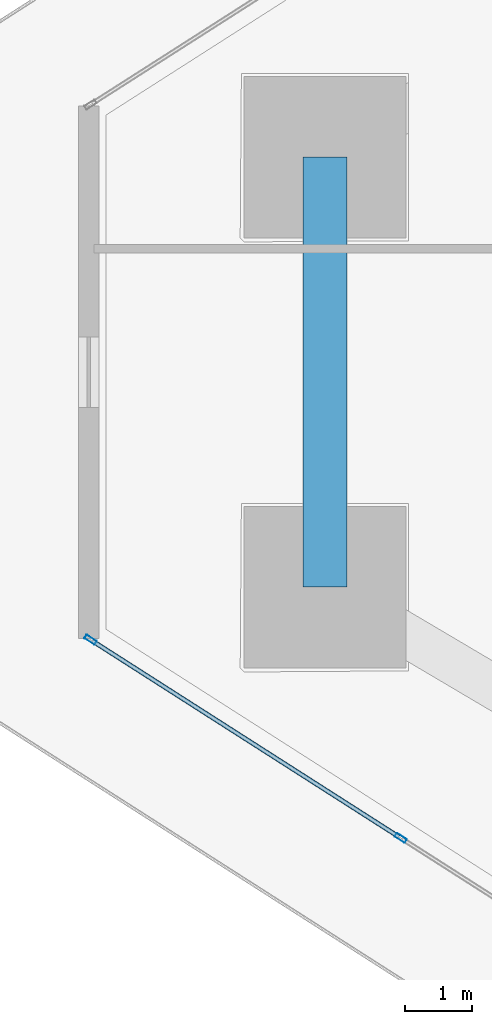
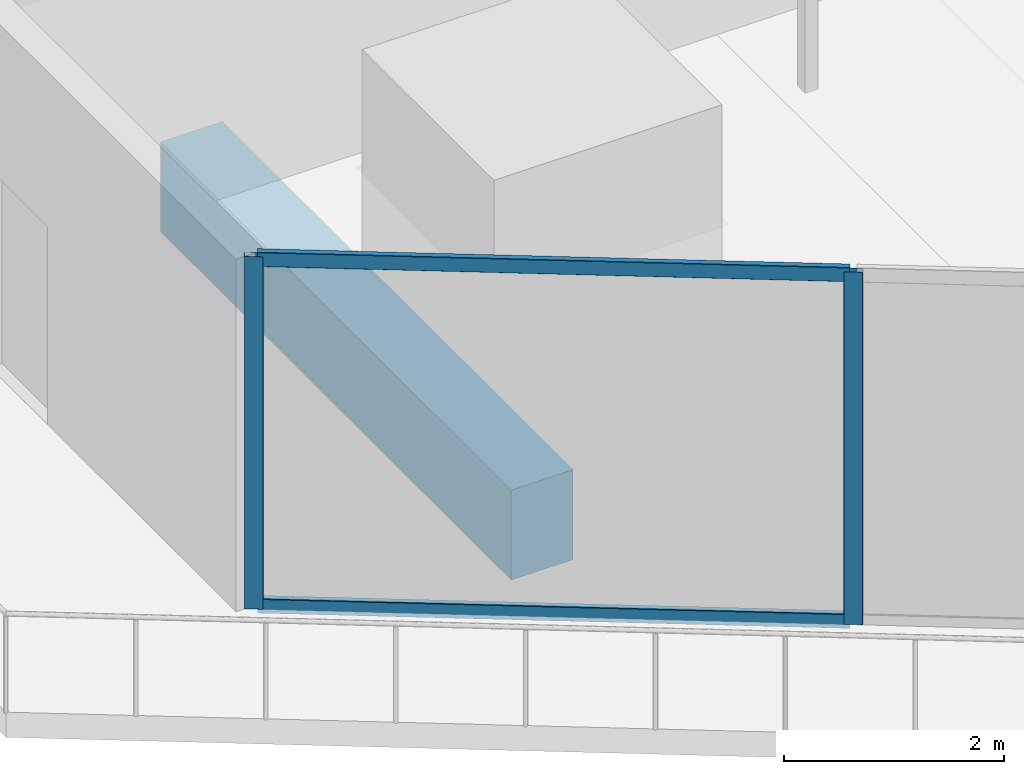
# One storey, part 4 of 45: 4 members, 1 beam, 1 element without a shape of its own.
"""IFC4 building model written with IfcOpenShell, lengths in metres."""

from ifc_helpers import new_model, si_unit, direction, frame, origin, origin_2d, place, context, subcontext, project, spatial, rectangle, hollow_rectangle, extrude, material, layer, layer_set, material_profile, profile_set, type_object, element, aggregate, save


model = new_model("IFC4")

# Units and contexts
model_context = context("Model", 3, precision=1e-05, world=origin(), true_north=direction((0.0, 1.0)))
body_context = subcontext(model_context, "Body", "Model", "MODEL_VIEW")
ifc_project = project(units=[si_unit("LENGTHUNIT", "METRE"), si_unit("AREAUNIT", "SQUARE_METRE"), si_unit("VOLUMEUNIT", "CUBIC_METRE"), si_unit("PLANEANGLEUNIT", "RADIAN"), si_unit("MASSUNIT", "GRAM", prefix="KILO")], contexts=[model_context])

# Site, building, storey
site_placement = place(None, origin())
site = spatial("IfcSite", under=ifc_project, at=site_placement, CompositionType="ELEMENT")
building_placement = place(site_placement, origin())
building = spatial("IfcBuilding", under=site, at=building_placement, Name="Qorvath Tower", CompositionType="ELEMENT")
storey_placement = place(building_placement, frame((0.0, 0.0, 91.199951171875)))
storey = spatial("IfcBuildingStorey", under=building, at=storey_placement, Name="L20", CompositionType="ELEMENT", Elevation=91.199951171875)

# Beam
ifc_material_1 = material(Name="Concrete C50/60", Category="concrete")
ifc_material_profile_1 = material_profile(ifc_material_1, rectangle(XDim=0.64990234375, YDim=1.0, at=origin_2d()), Name="RCB 1000x650")
ifc_profile_set_1 = profile_set([ifc_material_profile_1], Name="Concrete C50/60")
beam_type = type_object("IfcBeamType", Name="BM-RCB1", PredefinedType="SPANDREL", material=ifc_profile_set_1)
beam_placement = place(storey_placement, frame((-55.282958984375, 3.194580078125, -0.780029296875), z_axis=(0.0, -1.0, 0.0), x_axis=(1.0, 0.0, 0.0)))
element("IfcBeam", 1, at=beam_placement, inside=storey, type_object=beam_type, Name="Perimeter Loggia Frame Beam MC1-MC2 L20", PredefinedType="SPANDREL", context=body_context, shape_type="SweptSolid", body=[
    extrude(rectangle(XDim=0.64990234375, YDim=1.0, at=origin_2d()), origin(), (0.0, 0.0, 1.0), 6.38916015625),
])

# Curtain wall, members
ifc_material_2 = material(Name="Anodised aluminium and triple low-E glass", Category="aluminium")
ifc_layer = layer(ifc_material_2, 0.179931640625)
ifc_layer_set = layer_set([ifc_layer], Name="CW-SYS-2")
curtain_wall_type = type_object("IfcCurtainWallType", Name="CW-SYS-2", PredefinedType="NOTDEFINED", material=ifc_layer_set)
curtain_wall_placement = place(storey_placement, origin())
curtain_wall = element("IfcCurtainWall", 2, at=curtain_wall_placement, inside=storey, type_object=curtain_wall_type, Name="Curtain Wall CW-2 CW-T-L20-2.1", PredefinedType="NOTDEFINED")
ifc_material_3 = material(Name="Anodised aluminium 6063-T6", Category="aluminium")
ifc_material_profile_2 = material_profile(ifc_material_3, hollow_rectangle(XDim=0.06494140625, YDim=0.179931640625, WallThickness=0.00341796875, InnerFilletRadius=0.00341796875, OuterFilletRadius=0.007080078125, at=origin_2d()), Name="CWM 180x65")
ifc_profile_set_2 = profile_set([ifc_material_profile_2], Name="Anodised aluminium 6063-T6")
member_type_1 = type_object("IfcMemberType", Name="CWM-180", PredefinedType="MULLION", material=ifc_profile_set_2)
member_1_placement = place(storey_placement, frame((-58.765869140625, -3.975341796875, 0.0), z_axis=(0.0, 0.0, 1.0), x_axis=(0.53852928912, 0.842606791309, 0.0)))
member_1 = element("IfcMember", 3, at=member_1_placement, type_object=member_type_1, Name="CW-2 mullion 1", PredefinedType="MULLION", context=body_context, shape_type="SweptSolid", body=[
    extrude(hollow_rectangle(XDim=0.06494140625, YDim=0.179931640625, WallThickness=0.00341796875, InnerFilletRadius=0.00341796875, OuterFilletRadius=0.007080078125, at=origin_2d()), origin(), (0.0, 0.0, 1.0), 3.920166015625),
])
member_2_placement = place(storey_placement, frame((-54.158935546875, -6.919677734375, 0.0), z_axis=(0.0, 0.0, 1.0), x_axis=(0.53852928912, 0.842606791309, 0.0)))
member_2 = element("IfcMember", 4, at=member_2_placement, type_object=member_type_1, Name="CW-2 mullion 2", PredefinedType="MULLION", context=body_context, shape_type="SweptSolid", body=[
    extrude(hollow_rectangle(XDim=0.06494140625, YDim=0.179931640625, WallThickness=0.00341796875, InnerFilletRadius=0.00341796875, OuterFilletRadius=0.007080078125, at=origin_2d()), origin(), (0.0, 0.0, 1.0), 3.920166015625),
])
ifc_material_4 = material(Name="Anodised aluminium 6063-T6", Category="aluminium")
ifc_material_profile_3 = material_profile(ifc_material_4, hollow_rectangle(XDim=0.06494140625, YDim=0.159912109375, WallThickness=0.00341796875, InnerFilletRadius=0.00341796875, OuterFilletRadius=0.007080078125, at=origin_2d()), Name="CWT 160x65")
ifc_profile_set_3 = profile_set([ifc_material_profile_3], Name="Anodised aluminium 6063-T6")
member_type_2 = type_object("IfcMemberType", Name="CWT-160", PredefinedType="USERDEFINED", material=ifc_profile_set_3)
member_3_placement = place(storey_placement, frame((-58.738525390625, -3.992919921875, 0.032470703125), z_axis=(0.842629048845, -0.538494462407, 0.0), x_axis=(0.538494462407, 0.842629048845, 0.0)))
member_3 = element("IfcMember", 5, at=member_3_placement, type_object=member_type_2, Name="CW-2 transom 1.1", ObjectType="TRANSOM", PredefinedType="USERDEFINED", context=body_context, shape_type="SweptSolid", body=[
    extrude(hollow_rectangle(XDim=0.06494140625, YDim=0.159912109375, WallThickness=0.00341796875, InnerFilletRadius=0.00341796875, OuterFilletRadius=0.007080078125, at=origin_2d()), origin(), (0.0, 0.0, 1.0), 5.40234375),
])
member_4_placement = place(storey_placement, frame((-58.738525390625, -3.992919921875, 3.8876953125), z_axis=(0.842629048845, -0.538494462407, 0.0), x_axis=(0.538494462407, 0.842629048845, 0.0)))
member_4 = element("IfcMember", 6, at=member_4_placement, type_object=member_type_2, Name="CW-2 transom 1.2", ObjectType="TRANSOM", PredefinedType="USERDEFINED", context=body_context, shape_type="SweptSolid", body=[
    extrude(hollow_rectangle(XDim=0.06494140625, YDim=0.159912109375, WallThickness=0.00341796875, InnerFilletRadius=0.00341796875, OuterFilletRadius=0.007080078125, at=origin_2d()), origin(), (0.0, 0.0, 1.0), 5.40234375),
])
aggregate(curtain_wall, [member_1, member_2, member_3, member_4])

save(model, "model.ifc")
